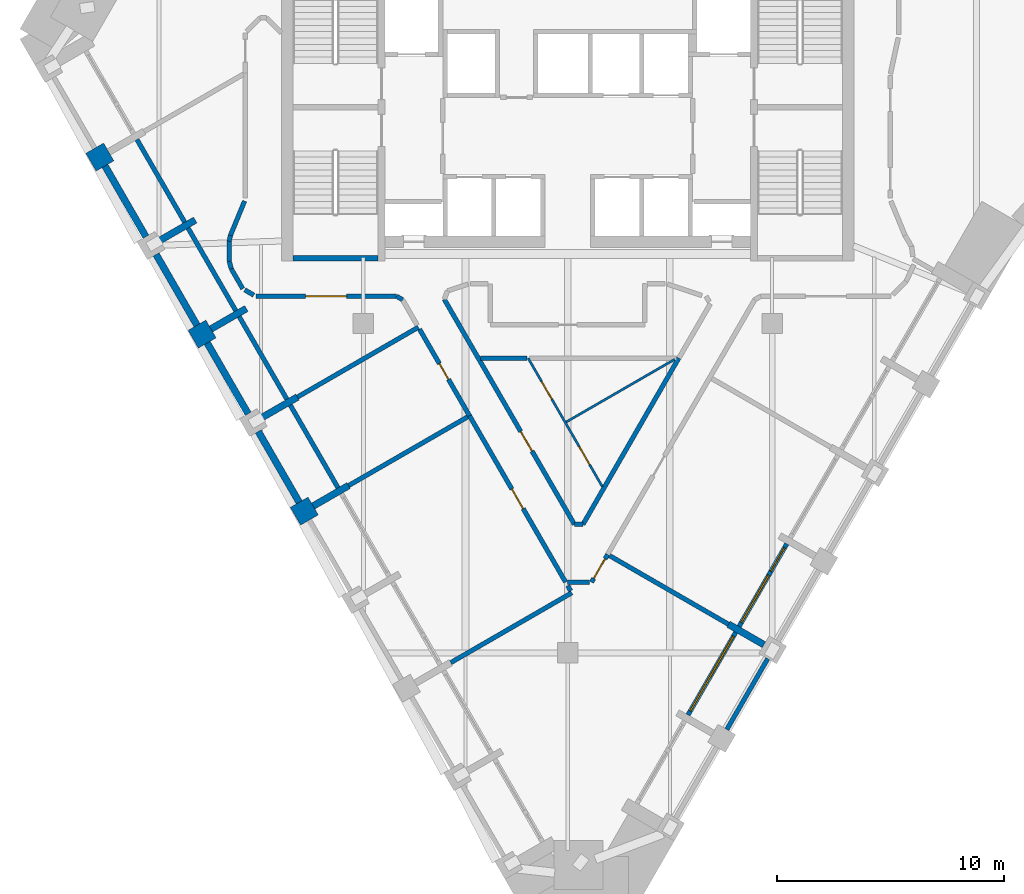
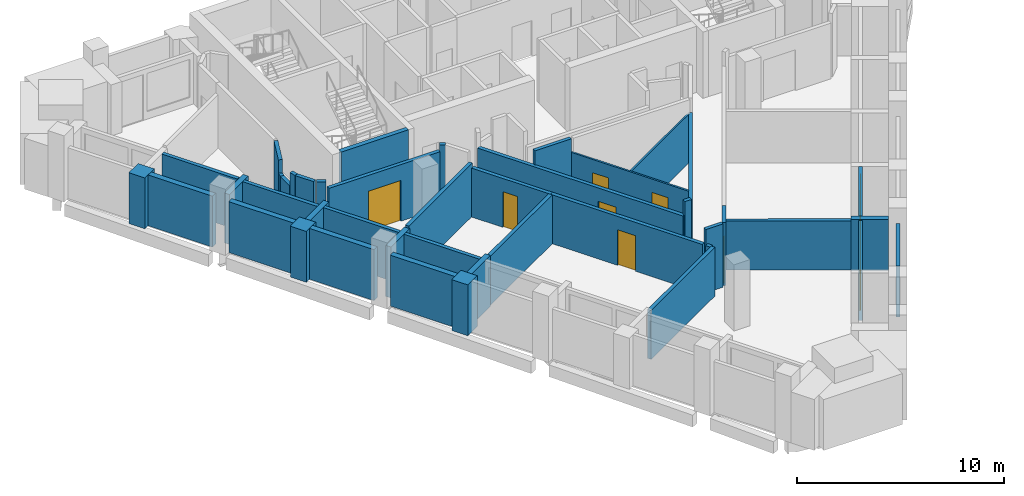
# One storey, part 3 of 8: 43 walls, 8 doors, 2 windows, 10 openings.
"""IFC4 building model written with IfcOpenShell, lengths in metres."""

from ifc_helpers import new_model, si_unit, direction, frame, frame_2d, origin, place, context, subcontext, project, spatial, rectangle, extrude, material, layer, layer_set, type_object, element, fill, save


model = new_model("IFC4")

# Units and contexts
model_context = context("Model", 3, precision=1e-05, world=origin(), true_north=direction((0.0, 1.0)))
body_context = subcontext(model_context, "Body", "Model", "MODEL_VIEW")
ifc_project = project(units=[si_unit("LENGTHUNIT", "METRE"), si_unit("AREAUNIT", "SQUARE_METRE"), si_unit("VOLUMEUNIT", "CUBIC_METRE"), si_unit("PLANEANGLEUNIT", "RADIAN"), si_unit("MASSUNIT", "GRAM", prefix="KILO")], contexts=[model_context])

# Site, building, storey
site_placement = place(None, origin())
site = spatial("IfcSite", under=ifc_project, at=site_placement, CompositionType="ELEMENT")
building_placement = place(site_placement, origin())
building = spatial("IfcBuilding", under=site, at=building_placement, Name="Calabash Gate Tower", CompositionType="ELEMENT")
storey_placement = place(building_placement, frame((0.0, 0.0, 275.5)))
storey = spatial("IfcBuildingStorey", under=building, at=storey_placement, Name="L66", CompositionType="ELEMENT", Elevation=275.5)

# Walls
ifc_material_1 = material(Name="Terracotta brick masonry, exposed face", Category="masonry")
ifc_layer_1 = layer(ifc_material_1, 0.89990234375)
ifc_layer_set_1 = layer_set([ifc_layer_1], Name="Brick end wall 900")
wall_type_1 = type_object("IfcWallType", Name="Brick end wall 900", PredefinedType="SOLIDWALL", material=ifc_layer_set_1)
for number, where, z_axis, x_axis, name in (
    (1, (-20.98583984375, 9.602783203125, 0.0), (0.0, 0.0, 1.0), (0.866013897511, 0.50001992892, 0.0), "Brick pier S19 SW0.1"),
    (2, (-16.48583984375, 1.80859375, 0.0), (0.0, 0.0, 1.0), (0.866013897511, 0.50001992892, 0.0), "Brick pier S19 SW0.3"),
):
    element("IfcWall", number, at=place(storey_placement, frame(where, z_axis=z_axis, x_axis=x_axis)), inside=storey, type_object=wall_type_1, Name=name, PredefinedType="SOLIDWALL", context=body_context, shape_type="SweptSolid", body=[
        extrude(rectangle(XDim=0.89990234375, YDim=0.89990234375, at=frame_2d((0.449951171875, 0.0))), origin(), (0.0, 0.0, 1.0), 3.0),
    ])
wall_1_placement = place(storey_placement, frame((-11.8212890625, -5.370849609375, 0.0), z_axis=(0.0, 0.0, 1.0), x_axis=(0.499902469156, -0.866081705922, 0.0)))
element("IfcWall", 3, at=wall_1_placement, inside=storey, type_object=wall_type_1, Name="Brick pier S19 SW0.5", PredefinedType="SOLIDWALL", context=body_context, shape_type="SweptSolid", body=[
    extrude(rectangle(XDim=0.900146484375, YDim=0.89990234375, at=frame_2d((0.4501953125, 0.0))), origin(), (0.0, 0.0, 1.0), 3.0),
])
ifc_material_2 = material(Name="Terracotta brick masonry, exposed face", Category="masonry")
ifc_layer_2 = layer(ifc_material_2, 0.300048828125)
ifc_layer_set_2 = layer_set([ifc_layer_2], Name="Brick infill panel wall 300")
wall_type_2 = type_object("IfcWallType", Name="Brick infill panel wall 300", PredefinedType="SOLIDWALL", material=ifc_layer_set_2)
for number, where, z_axis, x_axis, name in (
    (4, (-20.371337890625, 9.43798828125, 0.0), (0.0, 0.0, 1.0), (0.500012057535, -0.866018442252, 0.0), "Brick panel S19 SW0.2"),
    (5, (-18.121337890625, 5.541015625, 0.0), (0.0, 0.0, 1.0), (0.500012057535, -0.866018442252, 0.0), "Brick panel S19 SW0.3"),
    (6, (-15.871337890625, 1.643798828125, 0.0), (0.0, 0.0, 1.0), (0.500012057535, -0.866018442252, 0.0), "Brick panel S19 SW0.4"),
):
    element("IfcWall", number, at=place(storey_placement, frame(where, z_axis=z_axis, x_axis=x_axis)), inside=storey, type_object=wall_type_2, Name=name, PredefinedType="SOLIDWALL", context=body_context, shape_type="SweptSolid", body=[
        extrude(rectangle(XDim=3.60009765625, YDim=0.300048828125, at=frame_2d((1.800048828125, 0.0))), origin(), (0.0, 0.0, 1.0), 3.0),
    ])
wall_2_placement = place(storey_placement, frame((-11.8212890625, -5.370849609375, 0.0), z_axis=(0.0, 0.0, 1.0), x_axis=(-0.50001992892, 0.866013897511, 0.0)))
element("IfcWall", 7, at=wall_2_placement, inside=storey, type_object=wall_type_2, Name="Brick panel S19 SW0.5", PredefinedType="SOLIDWALL", context=body_context, shape_type="SweptSolid", body=[
    extrude(rectangle(XDim=3.599365234375, YDim=0.300048828125, at=frame_2d((1.7998046875, 0.0))), origin(), (0.0, 0.0, 1.0), 3.0),
])
ifc_material_3 = material(Name="Terracotta brick masonry, exposed face", Category="masonry")
ifc_layer_3 = layer(ifc_material_3, 0.300048828125)
ifc_layer_set_3 = layer_set([ifc_layer_3], Name="Brick loggia cheek wall 300")
wall_type_3 = type_object("IfcWallType", Name="Brick loggia cheek wall 300", PredefinedType="SOLIDWALL", material=ifc_layer_set_3)
wall_3_placement = place(storey_placement, frame((-17.956298828125, 6.156005859375, 0.0), z_axis=(0.0, 0.0, 1.0), x_axis=(0.866072636901, 0.499918180918, 0.0)))
element("IfcWall", 8, at=wall_3_placement, inside=storey, type_object=wall_type_3, Name="Loggia cheek S19 SW0.2", PredefinedType="SOLIDWALL", context=body_context, shape_type="SweptSolid", body=[
    extrude(rectangle(XDim=1.799560546875, YDim=0.300048828125, at=frame_2d((0.89990234375, 0.0))), origin(), (0.0, 0.0, 1.0), 2.9501953125),
])
for number, where, z_axis, x_axis, name in (
    (9, (-15.70654296875, 2.258544921875, 0.0), (0.0, 0.0, 1.0), (0.865989075817, 0.500062916607, 0.0), "Loggia cheek S19 SW0.3"),
    (10, (-13.45654296875, -1.638427734375, 0.0), (0.0, 0.0, 1.0), (0.866047807691, 0.499961193289, 0.0), "Loggia cheek S19 SW0.4"),
    (11, (-11.20654296875, -5.53564453125, 0.0), (0.0, 0.0, 1.0), (0.866047807691, 0.499961193289, 0.0), "Loggia cheek S19 SW0.5"),
    (12, (8.64013671875, -11.64208984375, 0.0), (0.0, 0.0, 1.0), (-0.866047807691, 0.499961193289, 0.0), "Loggia cheek S19 SE2.2"),
):
    element("IfcWall", number, at=place(storey_placement, frame(where, z_axis=z_axis, x_axis=x_axis)), inside=storey, type_object=wall_type_3, Name=name, PredefinedType="SOLIDWALL", context=body_context, shape_type="SweptSolid", body=[
        extrude(rectangle(XDim=1.800048828125, YDim=0.300048828125, at=frame_2d((0.89990234375, 0.0))), origin(), (0.0, 0.0, 1.0), 3.0),
    ])
ifc_material_4 = material(Name="Concrete C60/75", Category="concrete")
ifc_layer_4 = layer(ifc_material_4, 0.25)
ifc_layer_set_4 = layer_set([ifc_layer_4], Name="Core wall 250 Concrete C60/75")
wall_type_4 = type_object("IfcWallType", Name="Core wall 250 Concrete C60/75", PredefinedType="SHEAR", material=ifc_layer_set_4)
wall_4_placement = place(storey_placement, frame((-12.10009765625, 5.377685546875, 0.0), z_axis=(0.0, 0.0, 1.0), x_axis=(1.0, 0.0, 0.0)))
element("IfcWall", 13, at=wall_4_placement, inside=storey, type_object=wall_type_4, Name="Core wall Z5-SSW L66", PredefinedType="SHEAR", context=body_context, shape_type="SweptSolid", body=[
    extrude(rectangle(XDim=3.75, YDim=0.25, at=frame_2d((1.875, 0.0))), origin(), (0.0, 0.0, 1.0), 3.89990234375),
])
ifc_material_5 = material(Name="Gypsum board on steel studs, mineral wool", Category="steel")
ifc_layer_5 = layer(ifc_material_5, 0.10009765625)
ifc_layer_set_5 = layer_set([ifc_layer_5], Name="Partition 100 gypsum board")
wall_type_5 = type_object("IfcWallType", Name="Partition 100 gypsum board", PredefinedType="PARTITIONING", material=ifc_layer_set_5)
wall_5_placement = place(storey_placement, frame((-0.0625, -1.833984375, 0.0), z_axis=(0.0, 0.0, 1.0), x_axis=(0.865950314505, 0.5001300359, 0.0)))
element("IfcWall", 14, at=wall_5_placement, inside=storey, type_object=wall_type_5, Name="Partition", PredefinedType="PARTITIONING", context=body_context, shape_type="SweptSolid", body=[
    extrude(rectangle(XDim=5.51318359375, YDim=0.10009765625, at=frame_2d((2.756591796875, 0.0))), origin(), (0.0, 0.0, 1.0), 2.884033203125),
])

# Wall, openings, doors
wall_6_placement = place(storey_placement, frame((-1.740966796875, 0.9736328125, 0.0), z_axis=(0.0, 0.0, 1.0), x_axis=(0.499978916304, -0.86603757612, 0.0)))
wall_6 = element("IfcWall", 15, at=wall_6_placement, inside=storey, type_object=wall_type_5, Name="Partition", PredefinedType="PARTITIONING", context=body_context, shape_type="SweptSolid", body=[
    extrude(rectangle(XDim=6.537353515625, YDim=0.10009765625, at=frame_2d((3.2685546875, 0.0))), origin(), (0.0, 0.0, 1.0), 2.884033203125),
])
opening_1_placement = place(wall_6_placement, frame((1.183837890625, 0.0, 0.0)))
opening_1 = element("IfcOpeningElement", 16, at=opening_1_placement, cuts=wall_6, Name="Opening 65-66-012", PredefinedType="OPENING", context=body_context, shape_type="SweptSolid", body=[
    extrude(rectangle(XDim=0.89990234375, YDim=2.10009765625, at=frame_2d((0.449951171875, 1.050048828125))), frame((0.0, 0.06005859375, 0.0), z_axis=(0.0, -1.0, 0.0), x_axis=(1.0, 0.0, 0.0)), (0.0, 0.0, 1.0), 0.1201171875),
])
opening_2_placement = place(wall_6_placement, frame((4.503662109375, 0.0, 0.0)))
opening_2 = element("IfcOpeningElement", 17, at=opening_2_placement, cuts=wall_6, Name="Opening 65-66-013", PredefinedType="OPENING", context=body_context, shape_type="SweptSolid", body=[
    extrude(rectangle(XDim=0.89990234375, YDim=2.10009765625, at=frame_2d((0.449951171875, 1.050048828125))), frame((0.0, 0.06005859375, 0.0), z_axis=(0.0, -1.0, 0.0), x_axis=(1.0, 0.0, 0.0)), (0.0, 0.0, 1.0), 0.1201171875),
])
ifc_material_6 = material(Name="Painted timber door", Category="wood")
door_type_1 = type_object("IfcDoorType", Name="WD1 WC door 900x2100", OperationType="NOTDEFINED", PredefinedType="DOOR", material=ifc_material_6)
door_1_placement = place(opening_1_placement, origin())
door_1 = element("IfcDoor", 18, at=door_1_placement, inside=storey, type_object=door_type_1, Name="WC door", OperationType="SINGLE_SWING_LEFT", OverallHeight=2.10009765625, OverallWidth=0.89990234375, PredefinedType="DOOR", context=body_context, shape_type="SweptSolid", body=[
    extrude(rectangle(XDim=0.89990234375, YDim=2.10009765625, at=frame_2d((0.449951171875, 1.050048828125))), frame((0.0, 0.02490234375, 0.0), z_axis=(0.0, -1.0, 0.0), x_axis=(1.0, 0.0, 0.0)), (0.0, 0.0, 1.0), 0.050048828125),
])
fill(opening_1, door_1)
door_2_placement = place(opening_2_placement, origin())
door_2 = element("IfcDoor", 19, at=door_2_placement, inside=storey, type_object=door_type_1, Name="WC door", OperationType="SINGLE_SWING_RIGHT", OverallHeight=2.10009765625, OverallWidth=0.89990234375, PredefinedType="DOOR", context=body_context, shape_type="SweptSolid", body=[
    extrude(rectangle(XDim=0.89990234375, YDim=2.10009765625, at=frame_2d((0.449951171875, 1.050048828125))), frame((0.0, 0.02490234375, 0.0), z_axis=(0.0, -1.0, 0.0), x_axis=(1.0, 0.0, 0.0)), (0.0, 0.0, 1.0), 0.050048828125),
])
fill(opening_2, door_2)

# Walls
ifc_material_7 = material(Name="Gypsum board on steel studs, mineral wool", Category="steel")
ifc_layer_6 = layer(ifc_material_7, 0.199951171875)
ifc_layer_set_6 = layer_set([ifc_layer_6], Name="Partition 200 gypsum board EI 60")
wall_type_6 = type_object("IfcWallType", Name="Partition 200 gypsum board EI 60", PredefinedType="PARTITIONING", material=ifc_layer_set_6)
wall_7_placement = place(storey_placement, frame((-5.1474609375, -12.430419921875, 0.0), z_axis=(0.0, 0.0, 1.0), x_axis=(0.866013692856, 0.500020283374, 0.0)))
element("IfcWall", 20, at=wall_7_placement, inside=storey, type_object=wall_type_6, Name="Partition", PredefinedType="PARTITIONING", context=body_context, shape_type="SweptSolid", body=[
    extrude(rectangle(XDim=6.149658203125, YDim=0.199951171875, at=frame_2d((3.07470703125, 0.0))), origin(), (0.0, 0.0, 1.0), 2.884033203125),
])
wall_8_placement = place(storey_placement, frame((0.0, -9.0419921875, 0.0), z_axis=(0.0, 0.0, 1.0), x_axis=(0.494524249255, -0.869163832024, 0.0)))
element("IfcWall", 21, at=wall_8_placement, inside=storey, type_object=wall_type_6, Name="Partition", PredefinedType="PARTITIONING", context=body_context, shape_type="SweptSolid", body=[
    extrude(rectangle(XDim=0.2607421875, YDim=0.199951171875, at=frame_2d((0.13037109375, 0.0))), origin(), (0.0, 0.0, 1.0), 2.884033203125),
])

# Wall, opening, door
wall_9_placement = place(storey_placement, frame((-4.3232421875, -1.561767578125, 0.0), z_axis=(0.0, 0.0, 1.0), x_axis=(0.500177101832, -0.865923129846, 0.0)))
wall_9 = element("IfcWall", 22, at=wall_9_placement, inside=storey, type_object=wall_type_6, Name="Partition", PredefinedType="PARTITIONING", context=body_context, shape_type="SweptSolid", body=[
    extrude(rectangle(XDim=8.45947265625, YDim=0.199951171875, at=frame_2d((4.229736328125, 0.0))), origin(), (0.0, 0.0, 1.0), 2.884033203125),
])
opening_3_placement = place(wall_9_placement, frame((3.728759765625, 0.0, 0.0)))
opening_3 = element("IfcOpeningElement", 23, at=opening_3_placement, cuts=wall_9, Name="Opening 65-66-002", PredefinedType="OPENING", context=body_context, shape_type="SweptSolid", body=[
    extrude(rectangle(XDim=1.0, YDim=2.10009765625, at=frame_2d((0.5, 1.050048828125))), frame((0.0, 0.10986328125, 0.0), z_axis=(0.0, -1.0, 0.0), x_axis=(1.0, 0.0, 0.0)), (0.0, 0.0, 1.0), 0.219970703125),
])
ifc_material_8 = material(Name="Steel fire door set with fire-resisting glazing", Category="steel")
door_type_2 = type_object("IfcDoorType", Name="LD2 Meeting room door 1000x2100", OperationType="NOTDEFINED", PredefinedType="DOOR", material=ifc_material_8)
door_3_placement = place(opening_3_placement, origin())
door_3 = element("IfcDoor", 24, at=door_3_placement, inside=storey, type_object=door_type_2, Name="Meeting room door", OperationType="SINGLE_SWING_LEFT", OverallHeight=2.10009765625, OverallWidth=1.0, PredefinedType="DOOR", context=body_context, shape_type="SweptSolid", body=[
    extrude(rectangle(XDim=1.0, YDim=2.10009765625, at=frame_2d((0.5, 1.050048828125))), frame((0.0, 0.02490234375, 0.0), z_axis=(0.0, -1.0, 0.0), x_axis=(1.0, 0.0, 0.0)), (0.0, 0.0, 1.0), 0.050048828125),
])
fill(opening_3, door_3)

# Wall
wall_10_placement = place(storey_placement, frame((0.0, -8.888671875, 0.0), z_axis=(0.0, 0.0, 1.0), x_axis=(0.999998814747, 0.001539644057, 0.0)))
element("IfcWall", 25, at=wall_10_placement, inside=storey, type_object=wall_type_6, Name="Partition", PredefinedType="PARTITIONING", context=body_context, shape_type="SweptSolid", body=[
    extrude(rectangle(XDim=0.951416015625, YDim=0.199951171875, at=frame_2d((0.4755859375, 0.0))), origin(), (0.0, 0.0, 1.0), 3.72998046875),
])

# Wall, opening, door
wall_11_placement = place(storey_placement, frame((1.051513671875, -8.88720703125, 0.0), z_axis=(0.0, 0.0, 1.0), x_axis=(0.500967914192, 0.865465856606, 0.0)))
wall_11 = element("IfcWall", 26, at=wall_11_placement, inside=storey, type_object=wall_type_6, Name="Partition", PredefinedType="PARTITIONING", context=body_context, shape_type="SweptSolid", body=[
    extrude(rectangle(XDim=1.407958984375, YDim=0.199951171875, at=frame_2d((0.7041015625, 0.0))), origin(), (0.0, 0.0, 1.0), 3.72998046875),
])
opening_4_placement = place(wall_11_placement, frame((0.18798828125, 0.0, 0.0)))
opening_4 = element("IfcOpeningElement", 27, at=opening_4_placement, cuts=wall_11, Name="Opening 65-66-010", PredefinedType="OPENING", context=body_context, shape_type="SweptSolid", body=[
    extrude(rectangle(XDim=1.0, YDim=2.10009765625, at=frame_2d((0.5, 1.050048828125))), frame((0.0, 0.10986328125, 0.0), z_axis=(0.0, -1.0, 0.0), x_axis=(1.0, 0.0, 0.0)), (0.0, 0.0, 1.0), 0.219970703125),
])
door_4_placement = place(opening_4_placement, origin())
door_4 = element("IfcDoor", 28, at=door_4_placement, inside=storey, type_object=door_type_2, Name="Meeting room door", OperationType="SINGLE_SWING_LEFT", OverallHeight=2.10009765625, OverallWidth=1.0, PredefinedType="DOOR", context=body_context, shape_type="SweptSolid", body=[
    extrude(rectangle(XDim=1.0, YDim=2.10009765625, at=frame_2d((0.5, 1.050048828125))), frame((0.0, 0.02490234375, 0.0), z_axis=(0.0, -1.0, 0.0), x_axis=(1.0, 0.0, 0.0)), (0.0, 0.0, 1.0), 0.050048828125),
])
fill(opening_4, door_4)

# Walls
wall_12_placement = place(storey_placement, frame((1.84130859375, -7.718994140625, 0.0), z_axis=(0.0, 0.0, 1.0), x_axis=(0.866131832054, -0.499815615506, 0.0)))
element("IfcWall", 29, at=wall_12_placement, inside=storey, type_object=wall_type_6, Name="Partition", PredefinedType="PARTITIONING", context=body_context, shape_type="SweptSolid", body=[
    extrude(rectangle(XDim=6.049560546875, YDim=0.199951171875, at=frame_2d((3.02490234375, 0.0))), origin(), (0.0, 0.0, 1.0), 2.884033203125),
])
wall_13_placement = place(storey_placement, frame((0.670166015625, -6.346435546875, 0.0), z_axis=(0.0, 0.0, 1.0), x_axis=(0.499143893265, 0.866519113359, 0.0)))
element("IfcWall", 30, at=wall_13_placement, inside=storey, type_object=wall_type_6, Name="Partition", PredefinedType="PARTITIONING", context=body_context, shape_type="SweptSolid", body=[
    extrude(rectangle(XDim=8.452392578125, YDim=0.199951171875, at=frame_2d((4.22607421875, 0.0))), origin(), (0.0, 0.0, 1.0), 2.884033203125),
])
wall_14_placement = place(storey_placement, frame((0.295166015625, -6.343017578125, 0.0), z_axis=(0.0, 0.0, 1.0), x_axis=(0.999958464773, -0.009114204757, 0.0)))
element("IfcWall", 31, at=wall_14_placement, inside=storey, type_object=wall_type_6, Name="Partition", PredefinedType="PARTITIONING", context=body_context, shape_type="SweptSolid", body=[
    extrude(rectangle(XDim=0.375, YDim=0.199951171875, at=frame_2d((0.1875, 0.0))), origin(), (0.0, 0.0, 1.0), 3.72998046875),
])
wall_15_placement = place(storey_placement, frame((-9.647705078125, -4.6357421875, 0.0), z_axis=(0.0, 0.0, 1.0), x_axis=(0.866169461704, 0.499750401311, 0.0)))
element("IfcWall", 32, at=wall_15_placement, inside=storey, type_object=wall_type_6, Name="Partition", PredefinedType="PARTITIONING", context=body_context, shape_type="SweptSolid", body=[
    extrude(rectangle(XDim=6.0498046875, YDim=0.199951171875, at=frame_2d((3.02490234375, 0.0))), origin(), (0.0, 0.0, 1.0), 2.884033203125),
])

# Wall, opening, door
wall_16_placement = place(storey_placement, frame((-6.5234375, 2.248779296875, 0.0), z_axis=(0.0, 0.0, 1.0), x_axis=(0.50001224981, -0.866018331238, 0.0)))
wall_16 = element("IfcWall", 33, at=wall_16_placement, inside=storey, type_object=wall_type_6, Name="Partition", PredefinedType="PARTITIONING", context=body_context, shape_type="SweptSolid", body=[
    extrude(rectangle(XDim=4.39990234375, YDim=0.199951171875, at=frame_2d((2.199951171875, 0.0))), origin(), (0.0, 0.0, 1.0), 2.884033203125),
])
opening_5_placement = place(wall_16_placement, frame((1.75, 0.0, 0.0)))
opening_5 = element("IfcOpeningElement", 34, at=opening_5_placement, cuts=wall_16, Name="Opening 65-66-001", PredefinedType="OPENING", context=body_context, shape_type="SweptSolid", body=[
    extrude(rectangle(XDim=0.800048828125, YDim=2.10009765625, at=frame_2d((0.39990234375, 1.050048828125))), frame((0.0, 0.10986328125, 0.0), z_axis=(0.0, -1.0, 0.0), x_axis=(1.0, 0.0, 0.0)), (0.0, 0.0, 1.0), 0.219970703125),
])
ifc_material_9 = material(Name="Steel fire door set with fire-resisting glazing", Category="steel")
door_type_3 = type_object("IfcDoorType", Name="SD2 Riser access door 800x2100", OperationType="NOTDEFINED", PredefinedType="DOOR", material=ifc_material_9)
door_5_placement = place(opening_5_placement, origin())
door_5 = element("IfcDoor", 35, at=door_5_placement, inside=storey, type_object=door_type_3, Name="Riser access door", OperationType="SINGLE_SWING_RIGHT", OverallHeight=2.10009765625, OverallWidth=0.800048828125, PredefinedType="DOOR", context=body_context, shape_type="SweptSolid", body=[
    extrude(rectangle(XDim=0.800048828125, YDim=2.10009765625, at=frame_2d((0.39990234375, 1.050048828125))), frame((0.0, 0.02490234375, 0.0), z_axis=(0.0, -1.0, 0.0), x_axis=(1.0, 0.0, 0.0)), (0.0, 0.0, 1.0), 0.050048828125),
])
fill(opening_5, door_5)

# Walls
wall_17_placement = place(storey_placement, frame((-11.89794921875, -0.738037109375, 0.0), z_axis=(0.0, 0.0, 1.0), x_axis=(0.865915132248, 0.500190947283, 0.0)))
element("IfcWall", 36, at=wall_17_placement, inside=storey, type_object=wall_type_6, Name="Partition", PredefinedType="PARTITIONING", context=body_context, shape_type="SweptSolid", body=[
    extrude(rectangle(XDim=6.1494140625, YDim=0.199951171875, at=frame_2d((3.07470703125, 0.0))), origin(), (0.0, 0.0, 1.0), 3.1279296875),
])
wall_18_placement = place(storey_placement, frame((-3.833984375, 0.971923828125, 0.0), z_axis=(0.0, 0.0, 1.0), x_axis=(0.999999742389, 0.000717789024, 0.0)))
element("IfcWall", 37, at=wall_18_placement, inside=storey, type_object=wall_type_6, Name="Partition", PredefinedType="PARTITIONING", context=body_context, shape_type="SweptSolid", body=[
    extrude(rectangle(XDim=2.040771484375, YDim=0.199951171875, at=frame_2d((1.0205078125, 0.0))), origin(), (0.0, 0.0, 1.0), 3.72998046875),
])
wall_19_placement = place(storey_placement, frame((-7.535888671875, 3.699462890625, 0.0), z_axis=(0.0, 0.0, 1.0), x_axis=(0.866026229868, -0.499998569178, 0.0)))
element("IfcWall", 38, at=wall_19_placement, inside=storey, type_object=wall_type_6, Name="Partition", PredefinedType="PARTITIONING", context=body_context, shape_type="SweptSolid", body=[
    extrude(rectangle(XDim=0.30615234375, YDim=0.199951171875, at=frame_2d((0.153076171875, 0.0))), origin(), (0.0, 0.0, 1.0), 3.72998046875),
])

# Wall, opening, door
wall_20_placement = place(storey_placement, frame((-5.433349609375, 3.565185546875, 0.0), z_axis=(0.0, 0.0, 1.0), x_axis=(0.500524932541, -0.865722121644, 0.0)))
wall_20 = element("IfcWall", 39, at=wall_20_placement, inside=storey, type_object=wall_type_6, Name="Partition", PredefinedType="PARTITIONING", context=body_context, shape_type="SweptSolid", body=[
    extrude(rectangle(XDim=11.445068359375, YDim=0.199951171875, at=frame_2d((5.72265625, 0.0))), origin(), (0.0, 0.0, 1.0), 2.884033203125),
])
opening_6_placement = place(wall_20_placement, frame((6.718994140625, 0.0, 0.0)))
opening_6 = element("IfcOpeningElement", 40, at=opening_6_placement, cuts=wall_20, Name="Opening 65-66-011", PredefinedType="OPENING", context=body_context, shape_type="SweptSolid", body=[
    extrude(rectangle(XDim=1.0, YDim=2.10009765625, at=frame_2d((0.5, 1.050048828125))), frame((0.0, 0.10986328125, 0.0), z_axis=(0.0, -1.0, 0.0), x_axis=(1.0, 0.0, 0.0)), (0.0, 0.0, 1.0), 0.219970703125),
])
ifc_material_10 = material(Name="Steel fire door set with fire-resisting glazing", Category="steel")
door_type_4 = type_object("IfcDoorType", Name="WD3 WC lobby door 1000x2100", OperationType="NOTDEFINED", PredefinedType="DOOR", material=ifc_material_10)
door_6_placement = place(opening_6_placement, origin())
door_6 = element("IfcDoor", 41, at=door_6_placement, inside=storey, type_object=door_type_4, Name="WC lobby door", OperationType="SINGLE_SWING_RIGHT", OverallHeight=2.10009765625, OverallWidth=1.0, PredefinedType="DOOR", context=body_context, shape_type="SweptSolid", body=[
    extrude(rectangle(XDim=1.0, YDim=2.10009765625, at=frame_2d((0.5, 1.050048828125))), frame((0.0, 0.02490234375, 0.0), z_axis=(0.0, -1.0, 0.0), x_axis=(1.0, 0.0, 0.0)), (0.0, 0.0, 1.0), 0.050048828125),
])
fill(opening_6, door_6)

wall_21_placement = place(storey_placement, frame((-13.73291015625, 3.699462890625, 0.0), z_axis=(0.0, 0.0, 1.0), x_axis=(1.0, 0.0, 0.0)))
wall_21 = element("IfcWall", 42, at=wall_21_placement, inside=storey, type_object=wall_type_6, Name="Partition", PredefinedType="PARTITIONING", context=body_context, shape_type="SweptSolid", body=[
    extrude(rectangle(XDim=6.197021484375, YDim=0.199951171875, at=frame_2d((3.0986328125, 0.0))), origin(), (0.0, 0.0, 1.0), 3.33154296875),
])
opening_7_placement = place(wall_21_placement, frame((2.198486328125, 0.0, 0.0)))
opening_7 = element("IfcOpeningElement", 43, at=opening_7_placement, cuts=wall_21, Name="Opening 65-66-005", PredefinedType="OPENING", context=body_context, shape_type="SweptSolid", body=[
    extrude(rectangle(XDim=1.800048828125, YDim=2.39990234375, at=frame_2d((0.89990234375, 1.199951171875))), frame((0.0, 0.10986328125, 0.0), z_axis=(0.0, -1.0, 0.0), x_axis=(1.0, 0.0, 0.0)), (0.0, 0.0, 1.0), 0.219970703125),
])
ifc_material_11 = material(Name="Steel fire door set with fire-resisting glazing", Category="steel")
door_type_5 = type_object("IfcDoorType", Name="OD5 Open office double door 1800x2400", OperationType="NOTDEFINED", PredefinedType="DOOR", material=ifc_material_11)
door_7_placement = place(opening_7_placement, origin())
door_7 = element("IfcDoor", 44, at=door_7_placement, inside=storey, type_object=door_type_5, Name="Open office double door", OperationType="DOUBLE_DOOR_SINGLE_SWING", OverallHeight=2.39990234375, OverallWidth=1.800048828125, PredefinedType="DOOR", context=body_context, shape_type="SweptSolid", body=[
    extrude(rectangle(XDim=1.800048828125, YDim=2.39990234375, at=frame_2d((0.89990234375, 1.199951171875))), frame((0.0, 0.02490234375, 0.0), z_axis=(0.0, -1.0, 0.0), x_axis=(1.0, 0.0, 0.0)), (0.0, 0.0, 1.0), 0.050048828125),
])
fill(opening_7, door_7)

# Walls
wall_22_placement = place(storey_placement, frame((-14.218017578125, 3.9794921875, 0.0), z_axis=(0.0, 0.0, 1.0), x_axis=(0.866212077504, -0.499676532155, 0.0)))
element("IfcWall", 45, at=wall_22_placement, inside=storey, type_object=wall_type_6, Name="Partition", PredefinedType="PARTITIONING", context=body_context, shape_type="SweptSolid", body=[
    extrude(rectangle(XDim=0.460205078125, YDim=0.199951171875, at=frame_2d((0.22998046875, 0.0))), origin(), (0.0, 0.0, 1.0), 3.72998046875),
])
wall_23_placement = place(storey_placement, frame((-14.81201171875, 4.908203125, 0.0), z_axis=(0.0, 0.0, 1.0), x_axis=(0.500021003115, -0.866013277291, 0.0)))
element("IfcWall", 46, at=wall_23_placement, inside=storey, type_object=wall_type_6, Name="Partition", PredefinedType="PARTITIONING", context=body_context, shape_type="SweptSolid", body=[
    extrude(rectangle(XDim=1.0146484375, YDim=0.199951171875, at=frame_2d((0.50732421875, 0.0))), origin(), (0.0, 0.0, 1.0), 3.72998046875),
])
wall_24_placement = place(storey_placement, frame((-14.900390625, 5.23828125, 0.0), z_axis=(0.0, 0.0, 1.0), x_axis=(0.258640848646, -0.965973556269, 0.0)))
element("IfcWall", 47, at=wall_24_placement, inside=storey, type_object=wall_type_6, Name="Partition", PredefinedType="PARTITIONING", context=body_context, shape_type="SweptSolid", body=[
    extrude(rectangle(XDim=0.341796875, YDim=0.199951171875, at=frame_2d((0.1708984375, 0.0))), origin(), (0.0, 0.0, 1.0), 3.72998046875),
])
wall_25_placement = place(storey_placement, frame((-14.900390625, 6.1220703125, 0.0), z_axis=(0.0, 0.0, 1.0), x_axis=(0.0, -1.0, 0.0)))
element("IfcWall", 48, at=wall_25_placement, inside=storey, type_object=wall_type_6, Name="Partition", PredefinedType="PARTITIONING", context=body_context, shape_type="SweptSolid", body=[
    extrude(rectangle(XDim=0.8837890625, YDim=0.199951171875, at=frame_2d((0.44189453125, 0.0))), origin(), (0.0, 0.0, 1.0), 2.9501953125),
])
wall_26_placement = place(storey_placement, frame((-14.900390625, 6.1220703125, 0.0), z_axis=(0.0, 0.0, 1.0), x_axis=(0.194284304518, 0.980945263008, 0.0)))
element("IfcWall", 49, at=wall_26_placement, inside=storey, type_object=wall_type_6, Name="Partition", PredefinedType="PARTITIONING", context=body_context, shape_type="SweptSolid", body=[
    extrude(rectangle(XDim=0.25634765625, YDim=0.199951171875, at=frame_2d((0.128173828125, 0.0))), origin(), (0.0, 0.0, 1.0), 2.9501953125),
])
wall_27_placement = place(storey_placement, frame((-14.8505859375, 6.37353515625, 0.0), z_axis=(0.0, 0.0, 1.0), x_axis=(0.380697489052, 0.924699638709, 0.0)))
element("IfcWall", 50, at=wall_27_placement, inside=storey, type_object=wall_type_6, Name="Partition", PredefinedType="PARTITIONING", context=body_context, shape_type="SweptSolid", body=[
    extrude(rectangle(XDim=1.64306640625, YDim=0.199951171875, at=frame_2d((0.821533203125, 0.0))), origin(), (0.0, 0.0, 1.0), 3.72998046875),
])
ifc_material_12 = material(Name="Terracotta brick masonry, perforated", Category="masonry")
ifc_layer_7 = layer(ifc_material_12, 0.199951171875)
ifc_layer_set_7 = layer_set([ifc_layer_7], Name="Terracotta jaali screen A")
wall_type_7 = type_object("IfcWallType", Name="Terracotta jaali screen A", PredefinedType="SOLIDWALL", material=ifc_layer_set_7)
wall_28_placement = place(storey_placement, frame((7.0048828125, -15.37451171875, 0.0), z_axis=(0.0, 0.0, 1.0), x_axis=(0.500012057535, 0.866018442252, 0.0)))
element("IfcWall", 51, at=wall_28_placement, inside=storey, type_object=wall_type_7, Name="SCREEN A S19 SE2.2", PredefinedType="SOLIDWALL", context=body_context, shape_type="SweptSolid", body=[
    extrude(rectangle(XDim=3.60009765625, YDim=0.199951171875, at=frame_2d((1.800048828125, 0.0))), origin(), (0.0, 0.0, 1.0), 3.0),
])
ifc_material_13 = material(Name="Aluminium framed window wall with insulated spandrel", Category="aluminium")
ifc_layer_8 = layer(ifc_material_13, 0.199951171875)
ifc_layer_set_8 = layer_set([ifc_layer_8], Name="Window wall 200")
wall_type_8 = type_object("IfcWallType", Name="Window wall 200", PredefinedType="ELEMENTEDWALL", material=ifc_layer_set_8)
wall_29_placement = place(storey_placement, frame((-18.96240234375, 10.597900390625, 0.0), z_axis=(0.0, 0.0, 1.0), x_axis=(0.500027713859, -0.866009402589, 0.0)))
element("IfcWall", 52, at=wall_29_placement, inside=storey, type_object=wall_type_8, Name="Window wall S19 SW0.2", PredefinedType="ELEMENTEDWALL", context=body_context, shape_type="SweptSolid", body=[
    extrude(rectangle(XDim=4.199951171875, YDim=0.199951171875, at=frame_2d((2.10009765625, 0.0))), origin(), (0.0, 0.0, 1.0), 3.0),
])
wall_30_placement = place(storey_placement, frame((-16.71240234375, 6.70068359375, 0.0), z_axis=(0.0, 0.0, 1.0), x_axis=(0.500027713859, -0.866009402589, 0.0)))
element("IfcWall", 53, at=wall_30_placement, inside=storey, type_object=wall_type_8, Name="Window wall S19 SW0.3", PredefinedType="ELEMENTEDWALL", context=body_context, shape_type="SweptSolid", body=[
    extrude(rectangle(XDim=4.199951171875, YDim=0.199951171875, at=frame_2d((2.10009765625, 0.0))), origin(), (0.0, 0.0, 1.0), 2.9501953125),
])
for number, where, z_axis, x_axis, name in (
    (54, (-14.46240234375, 2.8037109375, 0.0), (0.0, 0.0, 1.0), (0.500027713859, -0.866009402589, 0.0), "Window wall S19 SW0.4"),
    (55, (-12.21240234375, -1.093505859375, 0.0), (0.0, 0.0, 1.0), (0.500027713859, -0.866009402589, 0.0), "Window wall S19 SW0.5"),
):
    element("IfcWall", number, at=place(storey_placement, frame(where, z_axis=z_axis, x_axis=x_axis)), inside=storey, type_object=wall_type_8, Name=name, PredefinedType="ELEMENTEDWALL", context=body_context, shape_type="SweptSolid", body=[
        extrude(rectangle(XDim=4.199951171875, YDim=0.199951171875, at=frame_2d((2.10009765625, 0.0))), origin(), (0.0, 0.0, 1.0), 3.0),
    ])

# Wall, opening, window
wall_31_placement = place(storey_placement, frame((5.296142578125, -14.734375, 0.0), z_axis=(0.0, 0.0, 1.0), x_axis=(0.49998411664, 0.866034573852, 0.0)))
wall_31 = element("IfcWall", 56, at=wall_31_placement, inside=storey, type_object=wall_type_8, Name="Window wall S19 SE2.2", PredefinedType="ELEMENTEDWALL", context=body_context, shape_type="SweptSolid", body=[
    extrude(rectangle(XDim=4.199951171875, YDim=0.199951171875, at=frame_2d((2.10009765625, 0.0))), origin(), (0.0, 0.0, 1.0), 2.9501953125),
])
opening_8_placement = place(wall_31_placement, frame((0.199951171875, 0.0, 0.449951171875)))
opening_8 = element("IfcOpeningElement", 57, at=opening_8_placement, cuts=wall_31, Name="Opening OW2", PredefinedType="OPENING", context=body_context, shape_type="SweptSolid", body=[
    extrude(rectangle(XDim=3.800048828125, YDim=2.25, at=frame_2d((1.89990234375, 1.125))), frame((0.0, 0.10986328125, 0.0), z_axis=(0.0, -1.0, 0.0), x_axis=(1.0, 0.0, 0.0)), (0.0, 0.0, 1.0), 0.219970703125),
])
ifc_material_14 = material(Name="Anodised aluminium frame, bronze finish, impact-rated laminated clear glazing", Category="aluminium")
window_type_1 = type_object("IfcWindowType", Name="Window OW2 3800x2250", PartitioningType="TRIPLE_PANEL_VERTICAL", PredefinedType="WINDOW", material=ifc_material_14)
window_1_placement = place(opening_8_placement, origin())
window_1 = element("IfcWindow", 58, at=window_1_placement, inside=storey, type_object=window_type_1, Name="Window OW2 S19 SE2.2", OverallHeight=2.25, OverallWidth=3.800048828125, PartitioningType="SINGLE_PANEL", PredefinedType="WINDOW", context=body_context, shape_type="SweptSolid", body=[
    extrude(rectangle(XDim=3.800048828125, YDim=2.25, at=frame_2d((1.89990234375, 1.125))), frame((0.0, 0.030029296875, 0.0), z_axis=(0.0, -1.0, 0.0), x_axis=(1.0, 0.0, 0.0)), (0.0, 0.0, 1.0), 0.06005859375),
])
fill(opening_8, window_1)

# Wall, openings, door, window
wall_32_placement = place(storey_placement, frame((7.546142578125, -10.837158203125, 0.0), z_axis=(0.0, 0.0, 1.0), x_axis=(0.49998411664, 0.866034573852, 0.0)))
wall_32 = element("IfcWall", 59, at=wall_32_placement, inside=storey, type_object=wall_type_8, Name="Window wall S19 SE2.3", PredefinedType="ELEMENTEDWALL", context=body_context, shape_type="SweptSolid", body=[
    extrude(rectangle(XDim=4.199951171875, YDim=0.199951171875, at=frame_2d((2.10009765625, 0.0))), origin(), (0.0, 0.0, 1.0), 3.0),
])
opening_9_placement = place(wall_32_placement, frame((0.199951171875, 0.0, 0.449951171875)))
opening_9 = element("IfcOpeningElement", 60, at=opening_9_placement, cuts=wall_32, Name="Opening OW1", PredefinedType="OPENING", context=body_context, shape_type="SweptSolid", body=[
    extrude(rectangle(XDim=2.39990234375, YDim=2.25, at=frame_2d((1.199951171875, 1.125))), frame((0.0, 0.10986328125, 0.0), z_axis=(0.0, -1.0, 0.0), x_axis=(1.0, 0.0, 0.0)), (0.0, 0.0, 1.0), 0.219970703125),
])
opening_10_placement = place(wall_32_placement, frame((2.800048828125, 0.0, 0.0)))
opening_10 = element("IfcOpeningElement", 61, at=opening_10_placement, cuts=wall_32, Name="Opening O11-016", PredefinedType="OPENING", context=body_context, shape_type="SweptSolid", body=[
    extrude(rectangle(XDim=1.199951171875, YDim=2.699951171875, at=frame_2d((0.60009765625, 1.35009765625))), frame((0.0, 0.10986328125, 0.0), z_axis=(0.0, -1.0, 0.0), x_axis=(1.0, 0.0, 0.0)), (0.0, 0.0, 1.0), 0.219970703125),
])
ifc_material_15 = material(Name="Anodised aluminium frame, bronze finish, impact-rated laminated clear glazing", Category="aluminium")
door_type_6 = type_object("IfcDoorType", Name="Loggia door DO1 1200x2700", OperationType="SLIDING_TO_LEFT", PredefinedType="DOOR", material=ifc_material_15)
door_8_placement = place(opening_10_placement, origin())
door_8 = element("IfcDoor", 62, at=door_8_placement, inside=storey, type_object=door_type_6, Name="Loggia door S19 SE2.3", OperationType="SINGLE_SWING_LEFT", OverallHeight=2.699951171875, OverallWidth=1.199951171875, PredefinedType="DOOR", context=body_context, shape_type="SweptSolid", body=[
    extrude(rectangle(XDim=1.199951171875, YDim=2.699951171875, at=frame_2d((0.60009765625, 1.35009765625))), frame((0.0, 0.02490234375, 0.0), z_axis=(0.0, -1.0, 0.0), x_axis=(1.0, 0.0, 0.0)), (0.0, 0.0, 1.0), 0.050048828125),
])
fill(opening_10, door_8)
ifc_material_16 = material(Name="Anodised aluminium frame, bronze finish, impact-rated laminated clear glazing", Category="aluminium")
window_type_2 = type_object("IfcWindowType", Name="Window OW1 2400x2250", PartitioningType="DOUBLE_PANEL_VERTICAL", PredefinedType="WINDOW", material=ifc_material_16)
window_2_placement = place(opening_9_placement, origin())
window_2 = element("IfcWindow", 63, at=window_2_placement, inside=storey, type_object=window_type_2, Name="Window OW1 S19 SE2.3", OverallHeight=2.25, OverallWidth=2.39990234375, PartitioningType="SINGLE_PANEL", PredefinedType="WINDOW", context=body_context, shape_type="SweptSolid", body=[
    extrude(rectangle(XDim=2.39990234375, YDim=2.25, at=frame_2d((1.199951171875, 1.125))), frame((0.0, 0.030029296875, 0.0), z_axis=(0.0, -1.0, 0.0), x_axis=(1.0, 0.0, 0.0)), (0.0, 0.0, 1.0), 0.06005859375),
])
fill(opening_9, window_2)

save(model, "model.ifc")
